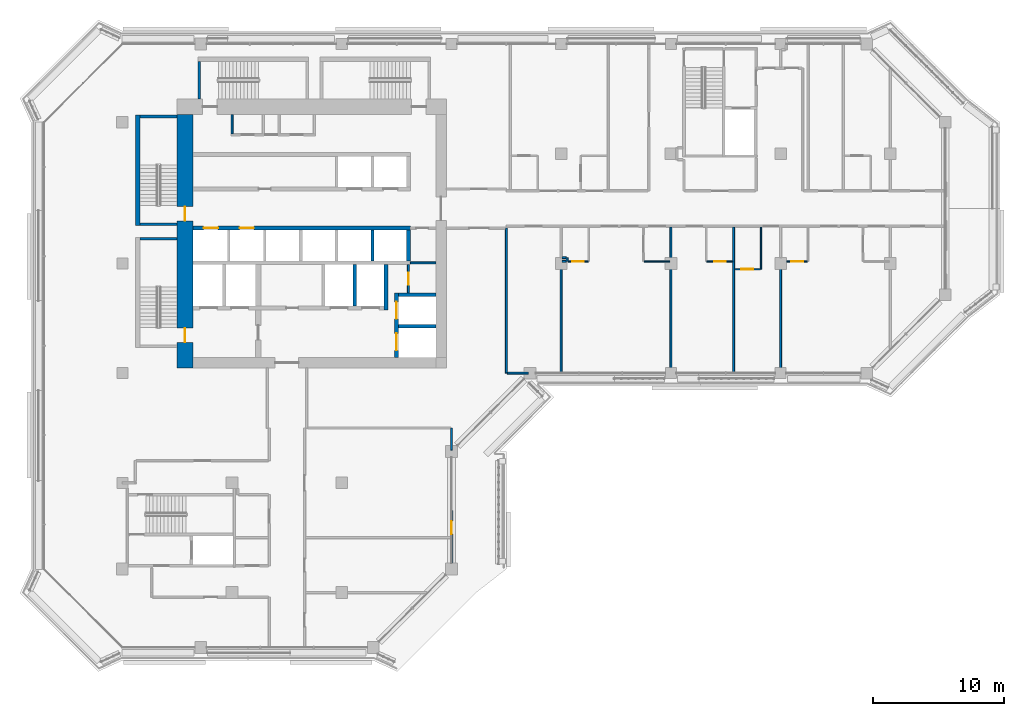
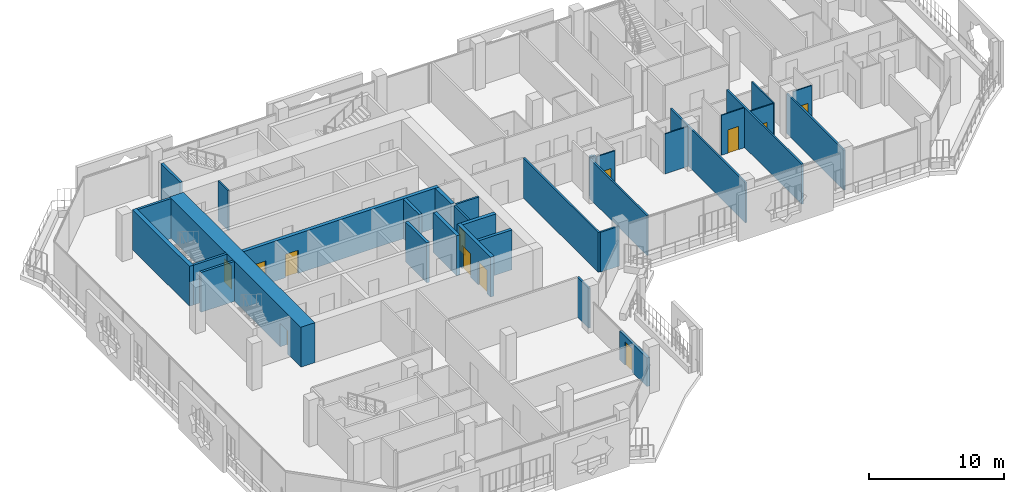
# One storey, part 11 of 23: 34 walls, 12 doors, 12 openings.
"""IFC4 building model written with IfcOpenShell, lengths in metres."""

from ifc_helpers import new_model, si_unit, direction, frame, frame_2d, origin, place, context, subcontext, project, spatial, rectangle, extrude, material, layer, layer_set, type_object, element, fill, save


model = new_model("IFC4")

# Units and contexts
model_context = context("Model", 3, precision=1e-05, world=origin(), true_north=direction((0.0, 1.0)))
body_context = subcontext(model_context, "Body", "Model", "MODEL_VIEW")
ifc_project = project(units=[si_unit("LENGTHUNIT", "METRE"), si_unit("AREAUNIT", "SQUARE_METRE"), si_unit("VOLUMEUNIT", "CUBIC_METRE"), si_unit("PLANEANGLEUNIT", "RADIAN"), si_unit("MASSUNIT", "GRAM", prefix="KILO")], contexts=[model_context])

# Site, building, storey
site_placement = place(None, origin())
site = spatial("IfcSite", under=ifc_project, at=site_placement, CompositionType="ELEMENT")
building_placement = place(site_placement, origin())
building = spatial("IfcBuilding", under=site, at=building_placement, Name="Kawkab Arch Medical Tower", CompositionType="ELEMENT")
storey_placement = place(building_placement, frame((0.0, 0.0, 247.39990234375)))
storey = spatial("IfcBuildingStorey", under=building, at=storey_placement, Name="L57", CompositionType="ELEMENT", Elevation=247.39990234375)

# Wall, openings, doors
ifc_material_1 = material(Name="Concrete C50/60", Category="concrete")
ifc_layer_1 = layer(ifc_material_1, 1.199951171875)
ifc_layer_set_1 = layer_set([ifc_layer_1], Name="Concrete C50/60")
wall_type_1 = type_object("IfcWallType", Name="Core ring wall 1200 C50/60", PredefinedType="SHEAR", material=ifc_layer_set_1)
wall_1_placement = place(storey_placement, frame((4.800048828125, -24.800048828125, 0.0), z_axis=(0.0, 0.0, 1.0), x_axis=(0.0, 1.0, 0.0)))
wall_1 = element("IfcWall", 1, at=wall_1_placement, inside=storey, type_object=wall_type_1, Name="L57 core wall", PredefinedType="SHEAR", context=body_context, shape_type="SweptSolid", body=[
    extrude(rectangle(XDim=19.400146484375, YDim=1.199951171875, at=frame_2d((9.7001953125, 0.0))), origin(), (0.0, 0.0, 1.0), 3.60009765625),
])
opening_1_placement = place(wall_1_placement, frame((11.25, 0.0, 0.0)))
opening_1 = element("IfcOpeningElement", 2, at=opening_1_placement, cuts=wall_1, Name="Opening SD", PredefinedType="OPENING", context=body_context, shape_type="SweptSolid", body=[
    extrude(rectangle(XDim=1.10009765625, YDim=2.10009765625, at=frame_2d((0.550048828125, 1.050048828125))), frame((0.0, 0.60986328125, 0.0), z_axis=(0.0, -1.0, 0.0), x_axis=(1.0, 0.0, 0.0)), (0.0, 0.0, 1.0), 1.219970703125),
])
opening_2_placement = place(wall_1_placement, frame((1.949951171875, 0.0, 0.0)))
opening_2 = element("IfcOpeningElement", 3, at=opening_2_placement, cuts=wall_1, Name="Opening SD", PredefinedType="OPENING", context=body_context, shape_type="SweptSolid", body=[
    extrude(rectangle(XDim=1.10009765625, YDim=2.10009765625, at=frame_2d((0.550048828125, 1.050048828125))), frame((0.0, 0.60986328125, 0.0), z_axis=(0.0, -1.0, 0.0), x_axis=(1.0, 0.0, 0.0)), (0.0, 0.0, 1.0), 1.219970703125),
])
ifc_material_2 = material(Name="Hollow metal fire door leaf")
door_type_1 = type_object("IfcDoorType", Name="Exit stair door 1100", OperationType="SINGLE_SWING_LEFT", PredefinedType="DOOR", material=ifc_material_2)
door_1_placement = place(opening_1_placement, origin())
door_1 = element("IfcDoor", 4, at=door_1_placement, inside=storey, type_object=door_type_1, Name="L57 Exit stair ST1 door", OperationType="SINGLE_SWING_LEFT", OverallHeight=2.10009765625, OverallWidth=1.10009765625, PredefinedType="DOOR", context=body_context, shape_type="SweptSolid", body=[
    extrude(rectangle(XDim=1.10009765625, YDim=2.10009765625, at=frame_2d((0.550048828125, 1.050048828125))), frame((0.0, 0.02490234375, 0.0), z_axis=(0.0, -1.0, 0.0), x_axis=(1.0, 0.0, 0.0)), (0.0, 0.0, 1.0), 0.050048828125),
])
fill(opening_1, door_1)
door_2_placement = place(opening_2_placement, origin())
door_2 = element("IfcDoor", 5, at=door_2_placement, inside=storey, type_object=door_type_1, Name="L57 Exit stair ST2 door", OperationType="SINGLE_SWING_LEFT", OverallHeight=2.10009765625, OverallWidth=1.10009765625, PredefinedType="DOOR", context=body_context, shape_type="SweptSolid", body=[
    extrude(rectangle(XDim=1.10009765625, YDim=2.10009765625, at=frame_2d((0.550048828125, 1.050048828125))), frame((0.0, 0.02490234375, 0.0), z_axis=(0.0, -1.0, 0.0), x_axis=(1.0, 0.0, 0.0)), (0.0, 0.0, 1.0), 0.050048828125),
])
fill(opening_2, door_2)

# Wall, opening, door
ifc_material_3 = material(Name="Gypsum board on steel studs", Category="steel")
ifc_layer_2 = layer(ifc_material_3, 0.14990234375)
ifc_layer_set_2 = layer_set([ifc_layer_2], Name="Gypsum board on steel studs")
wall_type_2 = type_object("IfcWallType", Name="Core room partition 150", PredefinedType="PARTITIONING", material=ifc_layer_set_2)
wall_2_placement = place(storey_placement, frame((21.89990234375, -19.050048828125, 0.0), z_axis=(0.0, 0.0, 1.0), x_axis=(0.0, 1.0, 0.0)))
wall_2 = element("IfcWall", 6, at=wall_2_placement, inside=storey, type_object=wall_type_2, Name="L57 core room partition", PredefinedType="PARTITIONING", context=body_context, shape_type="SweptSolid", body=[
    extrude(rectangle(XDim=2.150146484375, YDim=0.14990234375, at=frame_2d((1.0751953125, 0.0))), origin(), (0.0, 0.0, 1.0), 3.60009765625),
])
opening_3_placement = place(wall_2_placement, frame((0.625, 0.0, 0.0)))
opening_3 = element("IfcOpeningElement", 7, at=opening_3_placement, cuts=wall_2, Name="Opening RD", PredefinedType="OPENING", context=body_context, shape_type="SweptSolid", body=[
    extrude(rectangle(XDim=0.89990234375, YDim=2.10009765625, at=frame_2d((0.449951171875, 1.050048828125))), frame((0.0, 0.0849609375, 0.0), z_axis=(0.0, -1.0, 0.0), x_axis=(1.0, 0.0, 0.0)), (0.0, 0.0, 1.0), 0.169921875),
])
ifc_material_4 = material(Name="Hollow metal fire door leaf")
door_type_2 = type_object("IfcDoorType", Name="Core room door 900", OperationType="SINGLE_SWING_LEFT", PredefinedType="DOOR", material=ifc_material_4)
door_3_placement = place(opening_3_placement, origin())
door_3 = element("IfcDoor", 8, at=door_3_placement, inside=storey, type_object=door_type_2, Name="L57 Accessible WC door", OperationType="SINGLE_SWING_LEFT", OverallHeight=2.10009765625, OverallWidth=0.89990234375, PredefinedType="DOOR", context=body_context, shape_type="SweptSolid", body=[
    extrude(rectangle(XDim=0.89990234375, YDim=2.10009765625, at=frame_2d((0.449951171875, 1.050048828125))), frame((0.0, 0.02490234375, 0.0), z_axis=(0.0, -1.0, 0.0), x_axis=(1.0, 0.0, 0.0)), (0.0, 0.0, 1.0), 0.050048828125),
])
fill(opening_3, door_3)

# Walls
wall_3_placement = place(storey_placement, frame((22.050048828125, -16.75, 0.0), z_axis=(0.0, 0.0, 1.0), x_axis=(1.0, 0.0, 0.0)))
element("IfcWall", 9, at=wall_3_placement, inside=storey, type_object=wall_type_2, Name="L57 core room partition", PredefinedType="PARTITIONING", context=body_context, shape_type="SweptSolid", body=[
    extrude(rectangle(XDim=1.949951171875, YDim=0.14990234375, at=frame_2d((0.97509765625, 0.0))), origin(), (0.0, 0.0, 1.0), 3.60009765625),
])
wall_4_placement = place(storey_placement, frame((8.39990234375, -6.875, 0.0), z_axis=(0.0, 0.0, 1.0), x_axis=(0.0, 1.0, 0.0)))
element("IfcWall", 10, at=wall_4_placement, inside=storey, type_object=wall_type_2, Name="L57 core room partition", PredefinedType="PARTITIONING", context=body_context, shape_type="SweptSolid", body=[
    extrude(rectangle(XDim=1.47509765625, YDim=0.14990234375, at=frame_2d((0.737548828125, 0.0))), origin(), (0.0, 0.0, 1.0), 3.60009765625),
])
ifc_material_5 = material(Name="Concrete C60/75", Category="concrete")
ifc_layer_3 = layer(ifc_material_5, 0.25)
ifc_layer_set_3 = layer_set([ifc_layer_3], Name="Concrete C60/75")
wall_type_3 = type_object("IfcWallType", Name="Core shear wall 250 C60/75", PredefinedType="SHEAR", material=ifc_layer_set_3)
wall_5_placement = place(storey_placement, frame((21.14990234375, -21.60009765625, 0.0), z_axis=(0.0, 0.0, 1.0), x_axis=(1.0, 0.0, 0.0)))
element("IfcWall", 11, at=wall_5_placement, inside=storey, type_object=wall_type_3, Name="L57 core shear wall", PredefinedType="SHEAR", context=body_context, shape_type="SweptSolid", body=[
    extrude(rectangle(XDim=2.85009765625, YDim=0.25, at=frame_2d((1.425048828125, 0.0))), origin(), (0.0, 0.0, 1.0), 3.60009765625),
])
wall_6_placement = place(storey_placement, frame((17.800048828125, -20.050048828125, 0.0), z_axis=(0.0, 0.0, 1.0), x_axis=(0.0, 1.0, 0.0)))
element("IfcWall", 12, at=wall_6_placement, inside=storey, type_object=wall_type_3, Name="L57 core shear wall", PredefinedType="SHEAR", context=body_context, shape_type="SweptSolid", body=[
    extrude(rectangle(XDim=3.150146484375, YDim=0.25, at=frame_2d((1.5751953125, 0.0))), origin(), (0.0, 0.0, 1.0), 3.60009765625),
])
wall_7_placement = place(storey_placement, frame((19.14990234375, -16.60009765625, 0.0), z_axis=(0.0, 0.0, 1.0), x_axis=(0.0, 1.0, 0.0)))
element("IfcWall", 13, at=wall_7_placement, inside=storey, type_object=wall_type_3, Name="L57 core shear wall", PredefinedType="SHEAR", context=body_context, shape_type="SweptSolid", body=[
    extrude(rectangle(XDim=2.35009765625, YDim=0.25, at=frame_2d((1.175048828125, 0.0))), origin(), (0.0, 0.0, 1.0), 3.60009765625),
])

# Wall, openings, doors
ifc_material_6 = material(Name="Concrete C60/75", Category="concrete")
ifc_layer_4 = layer(ifc_material_6, 0.300048828125)
ifc_layer_set_4 = layer_set([ifc_layer_4], Name="Concrete C60/75")
wall_type_4 = type_object("IfcWallType", Name="Core shear wall 300 C60/75", PredefinedType="SHEAR", material=ifc_layer_set_4)
wall_8_placement = place(storey_placement, frame((5.39990234375, -14.10009765625, 0.0), z_axis=(0.0, 0.0, 1.0), x_axis=(1.0, 0.0, 0.0)))
wall_8 = element("IfcWall", 14, at=wall_8_placement, inside=storey, type_object=wall_type_4, Name="L57 core shear wall", PredefinedType="SHEAR", context=body_context, shape_type="SweptSolid", body=[
    extrude(rectangle(XDim=16.650146484375, YDim=0.300048828125, at=frame_2d((8.3251953125, 0.0))), origin(), (0.0, 0.0, 1.0), 3.60009765625),
])
opening_4_placement = place(wall_8_placement, frame((0.824951171875, 0.0, 0.0)))
opening_4 = element("IfcOpeningElement", 15, at=opening_4_placement, cuts=wall_8, Name="Opening LD1", PredefinedType="OPENING", context=body_context, shape_type="SweptSolid", body=[
    extrude(rectangle(XDim=1.10009765625, YDim=2.10009765625, at=frame_2d((0.550048828125, 1.050048828125))), frame((0.0, 0.159912109375, 0.0), z_axis=(0.0, -1.0, 0.0), x_axis=(1.0, 0.0, 0.0)), (0.0, 0.0, 1.0), 0.320068359375),
])
opening_5_placement = place(wall_8_placement, frame((3.574951171875, 0.0, 0.0)))
opening_5 = element("IfcOpeningElement", 16, at=opening_5_placement, cuts=wall_8, Name="Opening LD1", PredefinedType="OPENING", context=body_context, shape_type="SweptSolid", body=[
    extrude(rectangle(XDim=1.10009765625, YDim=2.10009765625, at=frame_2d((0.550048828125, 1.050048828125))), frame((0.0, 0.159912109375, 0.0), z_axis=(0.0, -1.0, 0.0), x_axis=(1.0, 0.0, 0.0)), (0.0, 0.0, 1.0), 0.320068359375),
])
ifc_material_7 = material(Name="Stainless steel lift door leaf", Category="steel")
door_type_3 = type_object("IfcDoorType", Name="Lift landing door 1100", OperationType="DOUBLE_DOOR_SLIDING", PredefinedType="DOOR", material=ifc_material_7)
door_4_placement = place(opening_4_placement, origin())
door_4 = element("IfcDoor", 17, at=door_4_placement, inside=storey, type_object=door_type_3, Name="L57 Lift landing door MP3", OperationType="DOUBLE_DOOR_SLIDING", OverallHeight=2.10009765625, OverallWidth=1.10009765625, PredefinedType="DOOR", context=body_context, shape_type="SweptSolid", body=[
    extrude(rectangle(XDim=1.10009765625, YDim=2.10009765625, at=frame_2d((0.550048828125, 1.050048828125))), frame((0.0, 0.02490234375, 0.0), z_axis=(0.0, -1.0, 0.0), x_axis=(1.0, 0.0, 0.0)), (0.0, 0.0, 1.0), 0.050048828125),
])
fill(opening_4, door_4)
door_5_placement = place(opening_5_placement, origin())
door_5 = element("IfcDoor", 18, at=door_5_placement, inside=storey, type_object=door_type_3, Name="L57 Lift landing door MP4", OperationType="DOUBLE_DOOR_SLIDING", OverallHeight=2.10009765625, OverallWidth=1.10009765625, PredefinedType="DOOR", context=body_context, shape_type="SweptSolid", body=[
    extrude(rectangle(XDim=1.10009765625, YDim=2.10009765625, at=frame_2d((0.550048828125, 1.050048828125))), frame((0.0, 0.02490234375, 0.0), z_axis=(0.0, -1.0, 0.0), x_axis=(1.0, 0.0, 0.0)), (0.0, 0.0, 1.0), 0.050048828125),
])
fill(opening_5, door_5)

# Walls
wall_9_placement = place(storey_placement, frame((20.199951171875, -20.35009765625, 0.0), z_axis=(0.0, 0.0, 1.0), x_axis=(0.0, 1.0, 0.0)))
element("IfcWall", 19, at=wall_9_placement, inside=storey, type_object=wall_type_4, Name="L57 core shear wall", PredefinedType="SHEAR", context=body_context, shape_type="SweptSolid", body=[
    extrude(rectangle(XDim=3.4501953125, YDim=0.300048828125, at=frame_2d((1.72509765625, 0.0))), origin(), (0.0, 0.0, 1.0), 3.60009765625),
])
wall_10_placement = place(storey_placement, frame((21.89990234375, -16.60009765625, 0.0), z_axis=(0.0, 0.0, 1.0), x_axis=(0.0, 1.0, 0.0)))
element("IfcWall", 20, at=wall_10_placement, inside=storey, type_object=wall_type_4, Name="L57 core shear wall", PredefinedType="SHEAR", context=body_context, shape_type="SweptSolid", body=[
    extrude(rectangle(XDim=2.35009765625, YDim=0.300048828125, at=frame_2d((1.175048828125, 0.0))), origin(), (0.0, 0.0, 1.0), 3.60009765625),
])
wall_11_placement = place(storey_placement, frame((21.14990234375, -19.199951171875, 0.0), z_axis=(0.0, 0.0, 1.0), x_axis=(1.0, 0.0, 0.0)))
element("IfcWall", 21, at=wall_11_placement, inside=storey, type_object=wall_type_4, Name="L57 core shear wall", PredefinedType="SHEAR", context=body_context, shape_type="SweptSolid", body=[
    extrude(rectangle(XDim=2.85009765625, YDim=0.300048828125, at=frame_2d((1.425048828125, 0.0))), origin(), (0.0, 0.0, 1.0), 3.60009765625),
])

# Wall, openings, doors
wall_12_placement = place(storey_placement, frame((21.0, -24.0, 0.0), z_axis=(0.0, 0.0, 1.0), x_axis=(0.0, 1.0, 0.0)))
wall_12 = element("IfcWall", 22, at=wall_12_placement, inside=storey, type_object=wall_type_4, Name="L57 core shear wall", PredefinedType="SHEAR", context=body_context, shape_type="SweptSolid", body=[
    extrude(rectangle(XDim=4.949951171875, YDim=0.300048828125, at=frame_2d((2.47509765625, 0.0))), origin(), (0.0, 0.0, 1.0), 3.60009765625),
])
opening_6_placement = place(wall_12_placement, frame((2.949951171875, 0.0, 0.0)))
opening_6 = element("IfcOpeningElement", 23, at=opening_6_placement, cuts=wall_12, Name="Opening LD2", PredefinedType="OPENING", context=body_context, shape_type="SweptSolid", body=[
    extrude(rectangle(XDim=1.300048828125, YDim=2.10009765625, at=frame_2d((0.64990234375, 1.050048828125))), frame((0.0, 0.159912109375, 0.0), z_axis=(0.0, -1.0, 0.0), x_axis=(1.0, 0.0, 0.0)), (0.0, 0.0, 1.0), 0.320068359375),
])
opening_7_placement = place(wall_12_placement, frame((0.550048828125, 0.0, 0.0)))
opening_7 = element("IfcOpeningElement", 24, at=opening_7_placement, cuts=wall_12, Name="Opening LD2", PredefinedType="OPENING", context=body_context, shape_type="SweptSolid", body=[
    extrude(rectangle(XDim=1.300048828125, YDim=2.10009765625, at=frame_2d((0.64990234375, 1.050048828125))), frame((0.0, 0.159912109375, 0.0), z_axis=(0.0, -1.0, 0.0), x_axis=(1.0, 0.0, 0.0)), (0.0, 0.0, 1.0), 0.320068359375),
])
ifc_material_8 = material(Name="Stainless steel lift door leaf", Category="steel")
door_type_4 = type_object("IfcDoorType", Name="Lift landing door 1300", OperationType="DOUBLE_DOOR_SLIDING", PredefinedType="DOOR", material=ifc_material_8)
door_6_placement = place(opening_6_placement, origin())
door_6 = element("IfcDoor", 25, at=door_6_placement, inside=storey, type_object=door_type_4, Name="L57 Lift landing door BD1", OperationType="DOUBLE_DOOR_SLIDING", OverallHeight=2.10009765625, OverallWidth=1.300048828125, PredefinedType="DOOR", context=body_context, shape_type="SweptSolid", body=[
    extrude(rectangle(XDim=1.300048828125, YDim=2.10009765625, at=frame_2d((0.64990234375, 1.050048828125))), frame((0.0, 0.02490234375, 0.0), z_axis=(0.0, -1.0, 0.0), x_axis=(1.0, 0.0, 0.0)), (0.0, 0.0, 1.0), 0.050048828125),
])
fill(opening_6, door_6)
door_7_placement = place(opening_7_placement, origin())
door_7 = element("IfcDoor", 26, at=door_7_placement, inside=storey, type_object=door_type_4, Name="L57 Lift landing door BD2", OperationType="DOUBLE_DOOR_SLIDING", OverallHeight=2.10009765625, OverallWidth=1.300048828125, PredefinedType="DOOR", context=body_context, shape_type="SweptSolid", body=[
    extrude(rectangle(XDim=1.300048828125, YDim=2.10009765625, at=frame_2d((0.64990234375, 1.050048828125))), frame((0.0, 0.02490234375, 0.0), z_axis=(0.0, -1.0, 0.0), x_axis=(1.0, 0.0, 0.0)), (0.0, 0.0, 1.0), 0.050048828125),
])
fill(opening_7, door_7)

# Wall, opening, door
ifc_material_9 = material(Name="Bronze clad insulated wall panel")
ifc_layer_5 = layer(ifc_material_9, 0.25)
ifc_layer_set_5 = layer_set([ifc_layer_5], Name="Bronze clad insulated wall panel")
wall_type_5 = type_object("IfcWallType", Name="External wall bay 250", PredefinedType="SOLIDWALL", material=ifc_layer_set_5)
wall_13_placement = place(storey_placement, frame((25.199951171875, -39.75, 0.0), z_axis=(0.0, 0.0, 1.0), x_axis=(0.0, 1.0, 0.0)))
wall_13 = element("IfcWall", 27, at=wall_13_placement, inside=storey, type_object=wall_type_5, Name="External wall bay L57.R05.1.1", PredefinedType="SOLIDWALL", context=body_context, shape_type="SweptSolid", body=[
    extrude(rectangle(XDim=4.050048828125, YDim=0.25, at=frame_2d((2.02490234375, 0.0))), origin(), (0.0, 0.0, 1.0), 2.580078125),
])
opening_8_placement = place(wall_13_placement, frame((2.22509765625, 0.0, 0.0)))
opening_8 = element("IfcOpeningElement", 28, at=opening_8_placement, cuts=wall_13, Name="Opening W57-701", PredefinedType="OPENING", context=body_context, shape_type="SweptSolid", body=[
    extrude(rectangle(XDim=1.0, YDim=2.10009765625, at=frame_2d((0.5, 1.050048828125))), frame((0.0, 0.135009765625, 0.0), z_axis=(0.0, -1.0, 0.0), x_axis=(1.0, 0.0, 0.0)), (0.0, 0.0, 1.0), 0.27001953125),
])
ifc_material_10 = material(Name="Bronze anodised aluminium door with tinted glass", Category="aluminium")
door_type_5 = type_object("IfcDoorType", Name="Single external door 1000 x 2100", OperationType="SINGLE_SWING_LEFT", PredefinedType="DOOR", material=ifc_material_10)
door_8_placement = place(opening_8_placement, origin())
door_8 = element("IfcDoor", 29, at=door_8_placement, inside=storey, type_object=door_type_5, Name="External door L57.R05.1.1", OperationType="SINGLE_SWING_LEFT", OverallHeight=2.10009765625, OverallWidth=1.0, PredefinedType="DOOR", context=body_context, shape_type="SweptSolid", body=[
    extrude(rectangle(XDim=1.0, YDim=2.10009765625, at=frame_2d((0.5, 1.050048828125))), frame((0.0, 0.02490234375, 0.0), z_axis=(0.0, -1.0, 0.0), x_axis=(1.0, 0.0, 0.0)), (0.0, 0.0, 1.0), 0.050048828125),
])
fill(opening_8, door_8)

ifc_material_11 = material(Name="Gypsum board partition on steel studs", Category="steel")
ifc_layer_6 = layer(ifc_material_11, 0.10009765625)
ifc_layer_set_6 = layer_set([ifc_layer_6], Name="Gypsum board partition on steel studs")
wall_type_6 = type_object("IfcWallType", Name="Partition 100", PredefinedType="PARTITIONING", material=ifc_layer_set_6)
wall_14_placement = place(storey_placement, frame((46.875, -17.25, 0.0), z_axis=(0.0, 0.0, 1.0), x_axis=(1.0, 0.0, 0.0)))
wall_14 = element("IfcWall", 30, at=wall_14_placement, inside=storey, type_object=wall_type_6, Name="Partition 100 w001", PredefinedType="PARTITIONING", context=body_context, shape_type="SweptSolid", body=[
    extrude(rectangle(XDim=1.97509765625, YDim=0.10009765625, at=frame_2d((0.987548828125, 0.0))), origin(), (0.0, 0.0, 1.0), 3.60009765625),
])
opening_9_placement = place(wall_14_placement, frame((0.52490234375, 0.0, 0.0)))
opening_9 = element("IfcOpeningElement", 31, at=opening_9_placement, cuts=wall_14, Name="Opening W57-006", PredefinedType="OPENING", context=body_context, shape_type="SweptSolid", body=[
    extrude(rectangle(XDim=0.89990234375, YDim=2.10009765625, at=frame_2d((0.449951171875, 1.050048828125))), frame((0.0, 0.06005859375, 0.0), z_axis=(0.0, -1.0, 0.0), x_axis=(1.0, 0.0, 0.0)), (0.0, 0.0, 1.0), 0.1201171875),
])
ifc_material_12 = material(Name="Timber door leaf", Category="wood")
door_type_6 = type_object("IfcDoorType", Name="Single door 900x2100", OperationType="NOTDEFINED", PredefinedType="DOOR", material=ifc_material_12)
door_9_placement = place(opening_9_placement, origin())
door_9 = element("IfcDoor", 32, at=door_9_placement, inside=storey, type_object=door_type_6, Name="Door W57-006", OperationType="SINGLE_SWING_LEFT", OverallHeight=2.10009765625, OverallWidth=0.89990234375, PredefinedType="DOOR", context=body_context, shape_type="SweptSolid", body=[
    extrude(rectangle(XDim=0.89990234375, YDim=2.10009765625, at=frame_2d((0.449951171875, 1.050048828125))), frame((0.0, 0.02490234375, 0.0), z_axis=(0.0, -1.0, 0.0), x_axis=(1.0, 0.0, 0.0)), (0.0, 0.0, 1.0), 0.050048828125),
])
fill(opening_9, door_9)

wall_15_placement = place(storey_placement, frame((34.125, -16.64990234375, 0.0), z_axis=(0.0, 0.0, 1.0), x_axis=(1.0, 0.0, 0.0)))
wall_15 = element("IfcWall", 33, at=wall_15_placement, inside=storey, type_object=wall_type_6, Name="Partition 100 w002", PredefinedType="PARTITIONING", context=body_context, shape_type="SweptSolid", body=[
    extrude(rectangle(XDim=1.52490234375, YDim=0.10009765625, at=frame_2d((0.762451171875, 0.0))), origin(), (0.0, 0.0, 1.0), 3.60009765625),
])
opening_10_placement = place(wall_15_placement, frame((0.300048828125, 0.0, 0.0)))
opening_10 = element("IfcOpeningElement", 34, at=opening_10_placement, cuts=wall_15, Name="Opening W57-004", PredefinedType="OPENING", context=body_context, shape_type="SweptSolid", body=[
    extrude(rectangle(XDim=0.89990234375, YDim=2.10009765625, at=frame_2d((0.449951171875, 1.050048828125))), frame((0.0, 0.06005859375, 0.0), z_axis=(0.0, -1.0, 0.0), x_axis=(1.0, 0.0, 0.0)), (0.0, 0.0, 1.0), 0.1201171875),
])
door_10_placement = place(opening_10_placement, origin())
door_10 = element("IfcDoor", 35, at=door_10_placement, inside=storey, type_object=door_type_6, Name="Door W57-004", OperationType="SINGLE_SWING_LEFT", OverallHeight=2.10009765625, OverallWidth=0.89990234375, PredefinedType="DOOR", context=body_context, shape_type="SweptSolid", body=[
    extrude(rectangle(XDim=0.89990234375, YDim=2.10009765625, at=frame_2d((0.449951171875, 1.050048828125))), frame((0.0, 0.02490234375, 0.0), z_axis=(0.0, -1.0, 0.0), x_axis=(1.0, 0.0, 0.0)), (0.0, 0.0, 1.0), 0.050048828125),
])
fill(opening_10, door_10)

# Wall
wall_16_placement = place(storey_placement, frame((39.949951171875, -16.64990234375, 0.0), z_axis=(0.0, 0.0, 1.0), x_axis=(1.0, 0.0, 0.0)))
element("IfcWall", 36, at=wall_16_placement, inside=storey, type_object=wall_type_6, Name="Partition 100 w003", PredefinedType="PARTITIONING", context=body_context, shape_type="SweptSolid", body=[
    extrude(rectangle(XDim=1.97509765625, YDim=0.10009765625, at=frame_2d((0.987548828125, 0.0))), origin(), (0.0, 0.0, 1.0), 3.60009765625),
])

# Wall, opening, door
wall_17_placement = place(storey_placement, frame((44.75, -16.64990234375, 0.0), z_axis=(0.0, 0.0, 1.0), x_axis=(1.0, 0.0, 0.0)))
wall_17 = element("IfcWall", 37, at=wall_17_placement, inside=storey, type_object=wall_type_6, Name="Partition 100 w004", PredefinedType="PARTITIONING", context=body_context, shape_type="SweptSolid", body=[
    extrude(rectangle(XDim=1.97509765625, YDim=0.10009765625, at=frame_2d((0.987548828125, 0.0))), origin(), (0.0, 0.0, 1.0), 3.60009765625),
])
opening_11_placement = place(wall_17_placement, frame((0.550048828125, 0.0, 0.0)))
opening_11 = element("IfcOpeningElement", 38, at=opening_11_placement, cuts=wall_17, Name="Opening W57-005", PredefinedType="OPENING", context=body_context, shape_type="SweptSolid", body=[
    extrude(rectangle(XDim=0.89990234375, YDim=2.10009765625, at=frame_2d((0.449951171875, 1.050048828125))), frame((0.0, 0.06005859375, 0.0), z_axis=(0.0, -1.0, 0.0), x_axis=(1.0, 0.0, 0.0)), (0.0, 0.0, 1.0), 0.1201171875),
])
door_11_placement = place(opening_11_placement, origin())
door_11 = element("IfcDoor", 39, at=door_11_placement, inside=storey, type_object=door_type_6, Name="Door W57-005", OperationType="SINGLE_SWING_LEFT", OverallHeight=2.10009765625, OverallWidth=0.89990234375, PredefinedType="DOOR", context=body_context, shape_type="SweptSolid", body=[
    extrude(rectangle(XDim=0.89990234375, YDim=2.10009765625, at=frame_2d((0.449951171875, 1.050048828125))), frame((0.0, 0.02490234375, 0.0), z_axis=(0.0, -1.0, 0.0), x_axis=(1.0, 0.0, 0.0)), (0.0, 0.0, 1.0), 0.050048828125),
])
fill(opening_11, door_11)

wall_18_placement = place(storey_placement, frame((50.85009765625, -16.64990234375, 0.0), z_axis=(0.0, 0.0, 1.0), x_axis=(1.0, 0.0, 0.0)))
wall_18 = element("IfcWall", 40, at=wall_18_placement, inside=storey, type_object=wall_type_6, Name="Partition 100 w005", PredefinedType="PARTITIONING", context=body_context, shape_type="SweptSolid", body=[
    extrude(rectangle(XDim=1.599853515625, YDim=0.10009765625, at=frame_2d((0.7998046875, 0.0))), origin(), (0.0, 0.0, 1.0), 3.60009765625),
])
opening_12_placement = place(wall_18_placement, frame((0.375, 0.0, 0.0)))
opening_12 = element("IfcOpeningElement", 41, at=opening_12_placement, cuts=wall_18, Name="Opening W57-007", PredefinedType="OPENING", context=body_context, shape_type="SweptSolid", body=[
    extrude(rectangle(XDim=0.89990234375, YDim=2.10009765625, at=frame_2d((0.449951171875, 1.050048828125))), frame((0.0, 0.06005859375, 0.0), z_axis=(0.0, -1.0, 0.0), x_axis=(1.0, 0.0, 0.0)), (0.0, 0.0, 1.0), 0.1201171875),
])
door_12_placement = place(opening_12_placement, origin())
door_12 = element("IfcDoor", 42, at=door_12_placement, inside=storey, type_object=door_type_6, Name="Door W57-007", OperationType="SINGLE_SWING_RIGHT", OverallHeight=2.10009765625, OverallWidth=0.89990234375, PredefinedType="DOOR", context=body_context, shape_type="SweptSolid", body=[
    extrude(rectangle(XDim=0.89990234375, YDim=2.10009765625, at=frame_2d((0.449951171875, 1.050048828125))), frame((0.0, 0.02490234375, 0.0), z_axis=(0.0, -1.0, 0.0), x_axis=(1.0, 0.0, 0.0)), (0.0, 0.0, 1.0), 0.050048828125),
])
fill(opening_12, door_12)

# Walls
wall_19_placement = place(storey_placement, frame((48.89990234375, -17.25, 0.0), z_axis=(0.0, 0.0, 1.0), x_axis=(0.0, 1.0, 0.0)))
element("IfcWall", 43, at=wall_19_placement, inside=storey, type_object=wall_type_6, Name="Partition 100 w015", PredefinedType="PARTITIONING", context=body_context, shape_type="SweptSolid", body=[
    extrude(rectangle(XDim=3.22509765625, YDim=0.10009765625, at=frame_2d((1.612548828125, 0.0))), origin(), (0.0, 0.0, 1.0), 3.60009765625),
])
ifc_material_13 = material(Name="Gypsum board partition on steel studs, mineral wool", Category="steel")
ifc_layer_7 = layer(ifc_material_13, 0.14990234375)
ifc_layer_set_7 = layer_set([ifc_layer_7], Name="Gypsum board partition on steel studs, mineral wool")
wall_type_7 = type_object("IfcWallType", Name="Partition 150", PredefinedType="PARTITIONING", material=ifc_layer_set_7)
wall_20_placement = place(storey_placement, frame((29.47509765625, -25.199951171875, 0.0), z_axis=(0.0, 0.0, 1.0), x_axis=(1.0, 0.0, 0.0)))
element("IfcWall", 44, at=wall_20_placement, inside=storey, type_object=wall_type_7, Name="Partition 150 w029", PredefinedType="PARTITIONING", context=body_context, shape_type="SweptSolid", body=[
    extrude(rectangle(XDim=1.61181640625, YDim=0.14990234375, at=frame_2d((0.805908203125, 0.0))), origin(), (0.0, 0.0, 1.0), 3.60009765625),
])
for number, where, z_axis, x_axis, name in (
    (45, (33.677001953125, -16.64990234375, 0.0), (0.0, 0.0, 1.0), (1.0, 0.0, 0.0), "Partition 150 w030"),
    (46, (33.677001953125, -16.35009765625, 0.0), (0.0, 0.0, 1.0), (1.0, 0.0, 0.0), "Partition 150 w031"),
):
    element("IfcWall", number, at=place(storey_placement, frame(where, z_axis=z_axis, x_axis=x_axis)), inside=storey, type_object=wall_type_7, Name=name, PredefinedType="PARTITIONING", context=body_context, shape_type="SweptSolid", body=[
        extrude(rectangle(XDim=0.298095703125, YDim=0.14990234375, at=frame_2d((0.14892578125, 0.0))), origin(), (0.0, 0.0, 1.0), 3.60009765625),
    ])
wall_21_placement = place(storey_placement, frame((25.199951171875, -31.0869140625, 0.0), z_axis=(0.0, 0.0, 1.0), x_axis=(0.0, 1.0, 0.0)))
element("IfcWall", 47, at=wall_21_placement, inside=storey, type_object=wall_type_7, Name="Partition 150 w052", PredefinedType="PARTITIONING", context=body_context, shape_type="SweptSolid", body=[
    extrude(rectangle(XDim=1.68701171875, YDim=0.14990234375, at=frame_2d((0.843505859375, 0.0))), origin(), (0.0, 0.0, 1.0), 3.60009765625),
])
wall_22_placement = place(storey_placement, frame((29.39990234375, -25.199951171875, 0.0), z_axis=(0.0, 0.0, 1.0), x_axis=(0.0, 1.0, 0.0)))
element("IfcWall", 48, at=wall_22_placement, inside=storey, type_object=wall_type_7, Name="Partition 150 w053", PredefinedType="PARTITIONING", context=body_context, shape_type="SweptSolid", body=[
    extrude(rectangle(XDim=11.099853515625, YDim=0.14990234375, at=frame_2d((5.5498046875, 0.0))), origin(), (0.0, 0.0, 1.0), 3.60009765625),
])
wall_23_placement = place(storey_placement, frame((33.60009765625, -25.1201171875, 0.0), z_axis=(0.0, 0.0, 1.0), x_axis=(0.0, 1.0, 0.0)))
element("IfcWall", 49, at=wall_23_placement, inside=storey, type_object=wall_type_7, Name="Partition 150 w055", PredefinedType="PARTITIONING", context=body_context, shape_type="SweptSolid", body=[
    extrude(rectangle(XDim=8.468017578125, YDim=0.14990234375, at=frame_2d((4.23388671875, 0.0))), origin(), (0.0, 0.0, 1.0), 3.60009765625),
])
wall_24_placement = place(storey_placement, frame((34.050048828125, -16.64990234375, 0.0), z_axis=(0.0, 0.0, 1.0), x_axis=(0.0, 1.0, 0.0)))
element("IfcWall", 50, at=wall_24_placement, inside=storey, type_object=wall_type_7, Name="Partition 150 w057", PredefinedType="PARTITIONING", context=body_context, shape_type="SweptSolid", body=[
    extrude(rectangle(XDim=0.2998046875, YDim=0.14990234375, at=frame_2d((0.14990234375, 0.0))), origin(), (0.0, 0.0, 1.0), 3.60009765625),
])
for number, where, z_axis, x_axis, name in (
    (51, (42.0, -25.1201171875, 0.0), (0.0, 0.0, 1.0), (0.0, 1.0, 0.0), "Partition 150 w061"),
    (52, (46.800048828125, -25.1201171875, 0.0), (0.0, 0.0, 1.0), (0.0, 1.0, 0.0), "Partition 150 w064"),
):
    element("IfcWall", number, at=place(storey_placement, frame(where, z_axis=z_axis, x_axis=x_axis)), inside=storey, type_object=wall_type_7, Name=name, PredefinedType="PARTITIONING", context=body_context, shape_type="SweptSolid", body=[
        extrude(rectangle(XDim=11.09521484375, YDim=0.14990234375, at=frame_2d((5.547607421875, 0.0))), origin(), (0.0, 0.0, 1.0), 3.60009765625),
    ])
wall_25_placement = place(storey_placement, frame((50.39990234375, -25.1201171875, 0.0), z_axis=(0.0, 0.0, 1.0), x_axis=(0.0, 1.0, 0.0)))
element("IfcWall", 53, at=wall_25_placement, inside=storey, type_object=wall_type_7, Name="Partition 150 w066", PredefinedType="PARTITIONING", context=body_context, shape_type="SweptSolid", body=[
    extrude(rectangle(XDim=8.47021484375, YDim=0.14990234375, at=frame_2d((4.235107421875, 0.0))), origin(), (0.0, 0.0, 1.0), 3.60009765625),
])
ifc_material_14 = material(Name="Concrete C50/60", Category="concrete")
ifc_layer_8 = layer(ifc_material_14, 0.199951171875)
ifc_layer_set_8 = layer_set([ifc_layer_8], Name="Concrete C50/60")
wall_type_8 = type_object("IfcWallType", Name="Stair enclosure wall 200 C50/60", PredefinedType="SHEAR", material=ifc_layer_set_8)
for number, where, z_axis, x_axis, name in (
    (54, (1.35009765625, -5.550048828125, 0.0), (0.0, 0.0, 1.0), (1.0, 0.0, 0.0), "L57 stair enclosure wall"),
    (55, (1.35009765625, -13.800048828125, 0.0), (0.0, 0.0, 1.0), (1.0, 0.0, 0.0), "L57 stair enclosure wall"),
    (56, (1.35009765625, -14.89990234375, 0.0), (0.0, 0.0, 1.0), (1.0, 0.0, 0.0), "L57 stair enclosure wall"),
    (57, (5.89990234375, -4.199951171875, 0.0), (0.0, 0.0, 1.0), (0.0, 1.0, 0.0), "L57 stair enclosure wall"),
):
    element("IfcWall", number, at=place(storey_placement, frame(where, z_axis=z_axis, x_axis=x_axis)), inside=storey, type_object=wall_type_8, Name=name, PredefinedType="SHEAR", context=body_context, shape_type="SweptSolid", body=[
        extrude(rectangle(XDim=2.849853515625, YDim=0.199951171875, at=frame_2d((1.4248046875, 0.0))), origin(), (0.0, 0.0, 1.0), 3.60009765625),
    ])
ifc_material_15 = material(Name="Concrete C50/60", Category="concrete")
ifc_layer_9 = layer(ifc_material_15, 0.35009765625)
ifc_layer_set_9 = layer_set([ifc_layer_9], Name="Concrete C50/60")
wall_type_9 = type_object("IfcWallType", Name="Stair enclosure wall 350 C50/60", PredefinedType="SHEAR", material=ifc_layer_set_9)
wall_26_placement = place(storey_placement, frame((1.175048828125, -13.89990234375, 0.0), z_axis=(0.0, 0.0, 1.0), x_axis=(0.0, 1.0, 0.0)))
element("IfcWall", 58, at=wall_26_placement, inside=storey, type_object=wall_type_9, Name="L57 stair enclosure wall", PredefinedType="SHEAR", context=body_context, shape_type="SweptSolid", body=[
    extrude(rectangle(XDim=8.449951171875, YDim=0.35009765625, at=frame_2d((4.22509765625, 0.0))), origin(), (0.0, 0.0, 1.0), 3.60009765625),
])

save(model, "model.ifc")
